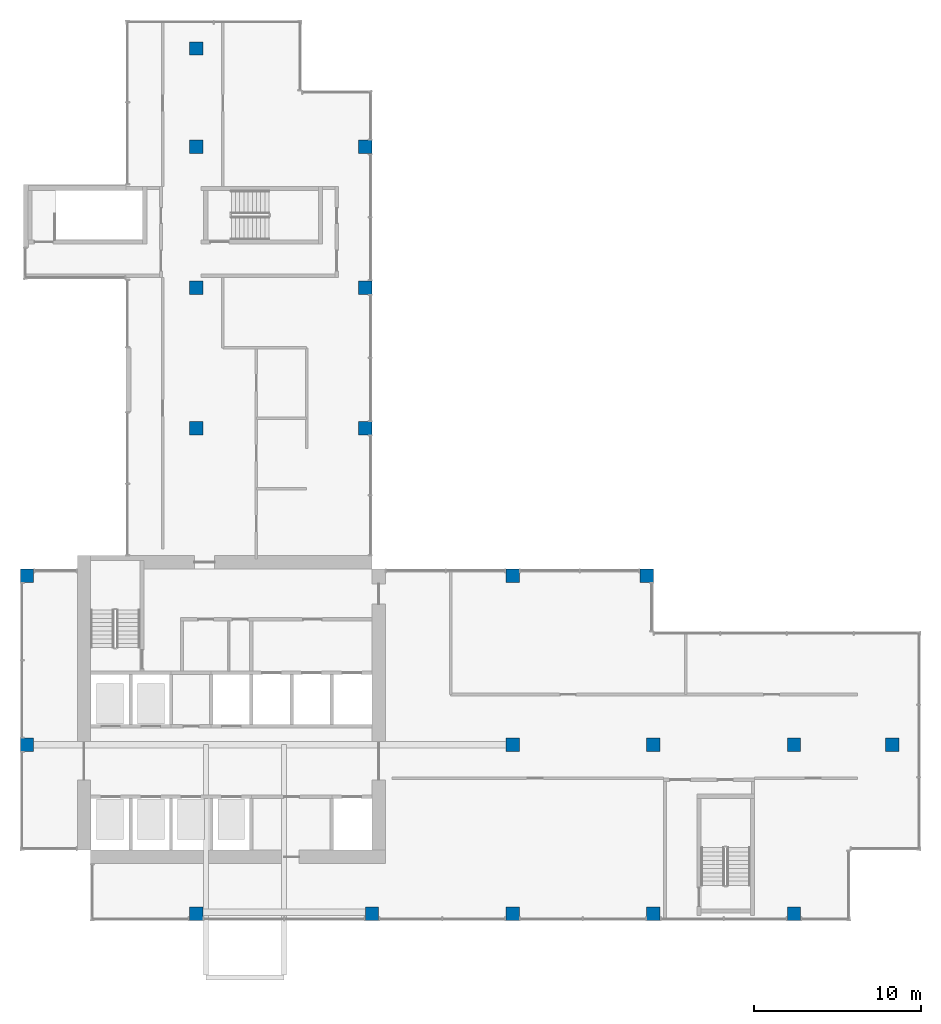
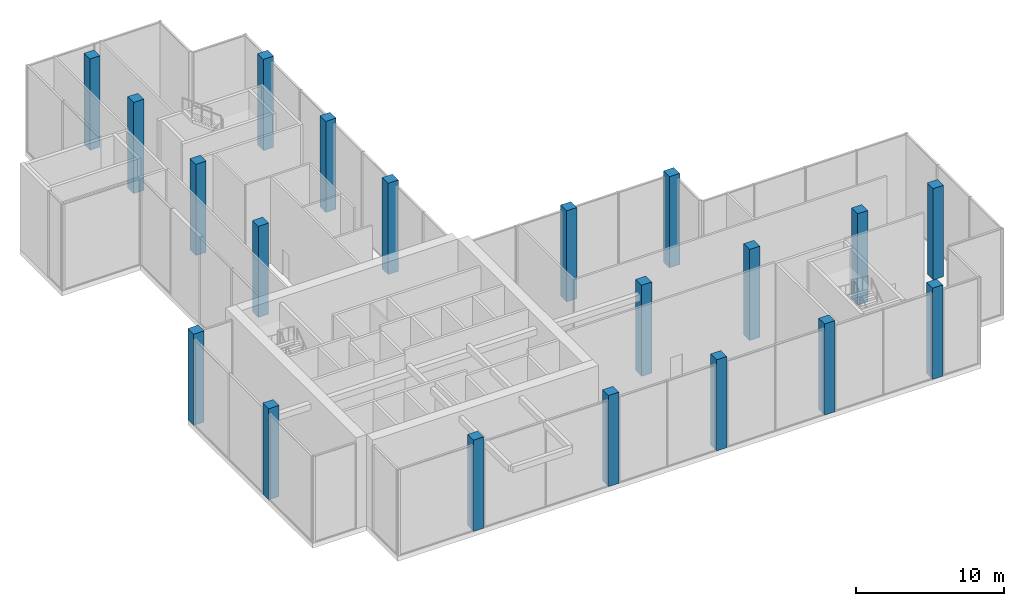
# One storey, part 1 of 13: 20 columns.
"""IFC4 building model written with IfcOpenShell, lengths in metres."""

from ifc_helpers import new_model, si_unit, direction, frame, origin, origin_2d, place, context, subcontext, project, spatial, rectangle, extrude, source, transform, mapped, material, material_profile, profile_set, type_object, element, save


model = new_model("IFC4")

# Units and contexts
model_context = context("Model", 3, precision=1e-05, world=origin(), true_north=direction((0.0, 1.0)))
body_context = subcontext(model_context, "Body", "Model", "MODEL_VIEW")
ifc_project = project(units=[si_unit("LENGTHUNIT", "METRE"), si_unit("AREAUNIT", "SQUARE_METRE"), si_unit("VOLUMEUNIT", "CUBIC_METRE"), si_unit("PLANEANGLEUNIT", "RADIAN"), si_unit("MASSUNIT", "GRAM", prefix="KILO")], contexts=[model_context])

# Site, building, storey
site_placement = place(None, origin())
site = spatial("IfcSite", under=ifc_project, at=site_placement, CompositionType="ELEMENT")
building_placement = place(site_placement, origin())
building = spatial("IfcBuilding", under=site, at=building_placement, Name="Aurelian Terraces", CompositionType="ELEMENT")
storey_placement = place(building_placement, frame((0.0, 0.0, 277.0)))
storey = spatial("IfcBuildingStorey", under=building, at=storey_placement, Name="L63", CompositionType="ELEMENT", Elevation=277.0)

# Columns
ifc_material = material(Name="Concrete fc' 70 MPa", Category="concrete")
ifc_material_profile = material_profile(ifc_material, rectangle(XDim=0.8, YDim=0.8, at=origin_2d()))
ifc_profile_set = profile_set([ifc_material_profile], Name="Concrete fc' 70 MPa")
column_type = type_object("IfcColumnType", Name="RC COLUMN 800X800 FC70", PredefinedType="COLUMN", material=ifc_profile_set)
column_placement = place(storey_placement, frame((10.5, 0.4, 0.0), z_axis=(0.0, 0.0, 1.0), x_axis=(1.0, 0.0, 0.0)))
element("IfcColumn", 1, at=column_placement, inside=storey, type_object=column_type, Name="Column 2/A L63", PredefinedType="COLUMN", context=body_context, shape_type="SweptSolid", body=[
    extrude(rectangle(XDim=0.8, YDim=0.8, at=origin_2d()), origin(), (0.0, 0.0, 1.0), 7.5),
])
shared_shape = source(origin(), body_context, "Body", "SweptSolid", [
    extrude(rectangle(XDim=0.8, YDim=0.8, at=origin_2d()), origin(), (0.0, 0.0, 1.0), 7.5),
])
for number, where, z_axis, x_axis, name in (
    (2, (21.0, 0.4, 0.0), (0.0, 0.0, 1.0), (1.0, 0.0, 0.0), "Column 3/A L63"),
    (3, (29.4, 0.4, 0.0), (0.0, 0.0, 1.0), (1.0, 0.0, 0.0), "Column 4/A L63"),
    (4, (37.8, 0.4, 0.0), (0.0, 0.0, 1.0), (1.0, 0.0, 0.0), "Column 5/A L63"),
    (5, (46.2, 0.4, 0.0), (0.0, 0.0, 1.0), (1.0, 0.0, 0.0), "Column 6/A L63"),
    (6, (0.4, 10.5, 0.0), (0.0, 0.0, 1.0), (1.0, 0.0, 0.0), "Column 1/B L63"),
    (7, (29.4, 10.5, 0.0), (0.0, 0.0, 1.0), (1.0, 0.0, 0.0), "Column 4/B L63"),
    (8, (37.8, 10.5, 0.0), (0.0, 0.0, 1.0), (1.0, 0.0, 0.0), "Column 5/B L63"),
    (9, (46.2, 10.5, 0.0), (0.0, 0.0, 1.0), (1.0, 0.0, 0.0), "Column 6/B L63"),
    (10, (52.08, 10.5, 0.0), (0.0, 0.0, 1.0), (1.0, 0.0, 0.0), "Column 7/B L63"),
    (11, (0.4, 20.6, 0.0), (0.0, 0.0, 1.0), (1.0, 0.0, 0.0), "Column 1/C L63"),
    (12, (29.4, 20.6, 0.0), (0.0, 0.0, 1.0), (1.0, 0.0, 0.0), "Column 4/C L63"),
    (13, (37.4, 20.6, 0.0), (0.0, 0.0, 1.0), (1.0, 0.0, 0.0), "Column 5/C L63"),
    (14, (10.5, 29.4, 0.0), (0.0, 0.0, 1.0), (1.0, 0.0, 0.0), "Column 2/D L63"),
    (15, (20.6, 29.4, 0.0), (0.0, 0.0, 1.0), (1.0, 0.0, 0.0), "Column 3/D L63"),
    (16, (10.5, 37.8, 0.0), (0.0, 0.0, 1.0), (1.0, 0.0, 0.0), "Column 2/E L63"),
    (17, (20.6, 37.8, 0.0), (0.0, 0.0, 1.0), (1.0, 0.0, 0.0), "Column 3/E L63"),
    (18, (10.5, 46.2, 0.0), (0.0, 0.0, 1.0), (1.0, 0.0, 0.0), "Column 2/F L63"),
    (19, (20.6, 46.2, 0.0), (0.0, 0.0, 1.0), (1.0, 0.0, 0.0), "Column 3/F L63"),
    (20, (10.5, 52.08, 0.0), (0.0, 0.0, 1.0), (1.0, 0.0, 0.0), "Column 2/G L63"),
):
    element("IfcColumn", number, at=place(storey_placement, frame(where, z_axis=z_axis, x_axis=x_axis)), inside=storey, type_object=column_type, Name=name, PredefinedType="COLUMN", context=body_context, shape_type="MappedRepresentation", body=[
        mapped(shared_shape, transform((0.0, 0.0, 0.0), scale=1.0)),
    ])

save(model, "model.ifc")
